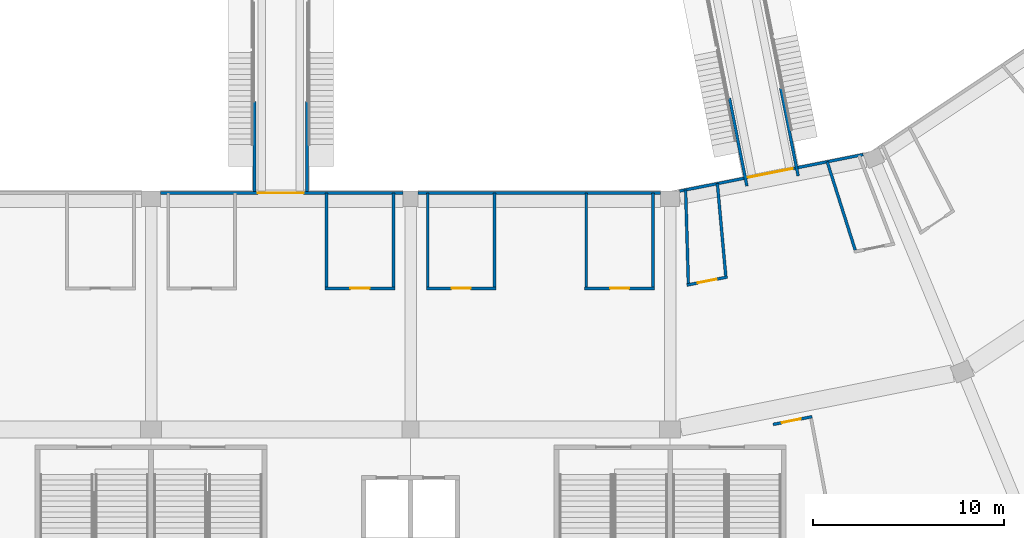
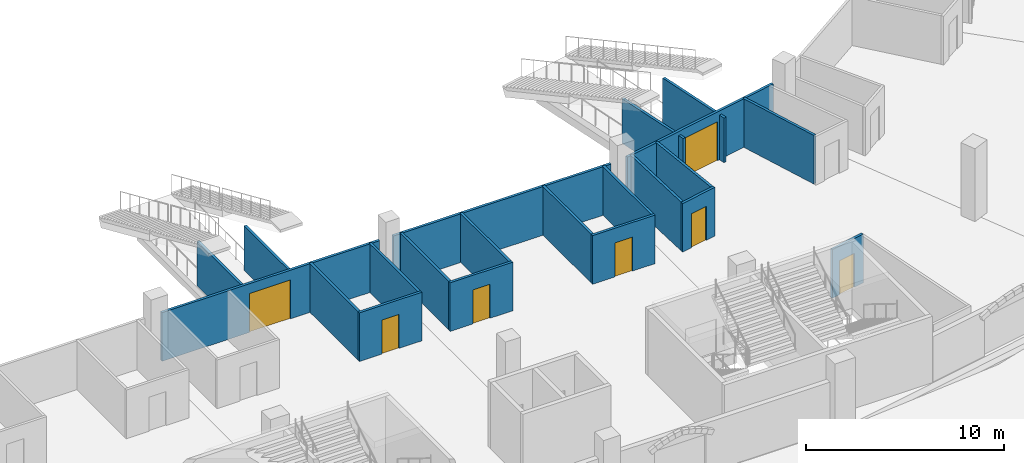
# One storey, part 29 of 175: 21 walls, 7 doors, 7 openings.
"""IFC4 building model written with IfcOpenShell, lengths in metres."""

from ifc_helpers import new_model, si_unit, direction, frame, frame_2d, origin, place, context, subcontext, project, spatial, rectangle, extrude, material, layer, layer_set, type_object, element, fill, save


model = new_model("IFC4")

# Units and contexts
model_context = context("Model", 3, precision=1e-05, world=origin(), true_north=direction((0.0, 1.0)))
body_context = subcontext(model_context, "Body", "Model", "MODEL_VIEW")
ifc_project = project(units=[si_unit("LENGTHUNIT", "METRE"), si_unit("AREAUNIT", "SQUARE_METRE"), si_unit("VOLUMEUNIT", "CUBIC_METRE"), si_unit("PLANEANGLEUNIT", "RADIAN"), si_unit("MASSUNIT", "GRAM", prefix="KILO")], contexts=[model_context])

# Site, building, storey
site_placement = place(None, origin())
site = spatial("IfcSite", under=ifc_project, at=site_placement, CompositionType="ELEMENT")
building_placement = place(site_placement, origin())
building = spatial("IfcBuilding", under=site, at=building_placement, Name="Ogive Plaza Stadium", CompositionType="ELEMENT")
storey_placement = place(building_placement, origin())
storey = spatial("IfcBuildingStorey", under=building, at=storey_placement, Name="L00", CompositionType="ELEMENT", Elevation=0.0)

# Wall, opening, door
ifc_material_1 = material(Name="Masonry blockwork", Category="masonry")
ifc_layer_1 = layer(ifc_material_1, 0.14990234375)
ifc_layer_set_1 = layer_set([ifc_layer_1], Name="Blockwork wall 150")
wall_type_1 = type_object("IfcWallType", Name="Blockwork wall 150", PredefinedType="SOLIDWALL", material=ifc_layer_set_1)
wall_1_placement = place(storey_placement, frame((34.87646484375, -84.92578125, 0.0), z_axis=(0.0, 0.0, 1.0), x_axis=(0.980766609665, 0.195184162696, 0.0)))
wall_1 = element("IfcWall", 1, at=wall_1_placement, inside=storey, type_object=wall_type_1, Name="Wall L00 B11", PredefinedType="SOLIDWALL", context=body_context, shape_type="SweptSolid", body=[
    extrude(rectangle(XDim=2.16650390625, YDim=0.14990234375, at=frame_2d((1.083251953125, 0.0))), origin(), (0.0, 0.0, 1.0), 3.0),
])
opening_1_placement = place(wall_1_placement, frame((0.583251953125, 0.0, 0.0)))
opening_1 = element("IfcOpeningElement", 2, at=opening_1_placement, cuts=wall_1, Name="Opening D0398", PredefinedType="OPENING", context=body_context, shape_type="SweptSolid", body=[
    extrude(rectangle(XDim=1.0, YDim=2.10009765625, at=frame_2d((0.5, 1.050048828125))), frame((0.0, 0.074951171875, 0.0), z_axis=(0.0, -1.0, 0.0), x_axis=(1.0, 0.0, 0.0)), (0.0, 0.0, 1.0), 0.14990234375),
])
ifc_material_2 = material(Name="Steel ASTM A572 Grade 50", Category="steel")
door_type_1 = type_object("IfcDoorType", Name="Door 1000 x 2100", OperationType="SINGLE_SWING_LEFT", PredefinedType="DOOR", material=ifc_material_2)
door_1_placement = place(opening_1_placement, origin())
door_1 = element("IfcDoor", 3, at=door_1_placement, inside=storey, type_object=door_type_1, Name="Concession Stand B11 door", OperationType="SINGLE_SWING_RIGHT", OverallHeight=2.10009765625, OverallWidth=1.0, PredefinedType="DOOR", context=body_context, shape_type="SweptSolid", body=[
    extrude(rectangle(XDim=1.0, YDim=2.10009765625, at=frame_2d((0.5, 1.050048828125))), frame((0.0, 0.02490234375, 0.0), z_axis=(0.0, -1.0, 0.0), x_axis=(1.0, 0.0, 0.0)), (0.0, 0.0, 1.0), 0.050048828125),
])
fill(opening_1, door_1)

# Walls
wall_2_placement = place(storey_placement, frame((34.809326171875, -79.93896484375, 0.0), z_axis=(0.0, 0.0, 1.0), x_axis=(0.02950597086, -0.999564604057, 0.0)))
element("IfcWall", 4, at=wall_2_placement, inside=storey, type_object=wall_type_1, Name="Wall L00 B11", PredefinedType="SOLIDWALL", context=body_context, shape_type="SweptSolid", body=[
    extrude(rectangle(XDim=4.8984375, YDim=0.14990234375, at=frame_2d((2.44921875, 0.0))), origin(), (0.0, 0.0, 1.0), 3.0),
])
wall_3_placement = place(storey_placement, frame((36.473388671875, -79.60791015625, 0.0), z_axis=(0.0, 0.0, 1.0), x_axis=(0.090871085934, -0.995862664096, 0.0)))
element("IfcWall", 5, at=wall_3_placement, inside=storey, type_object=wall_type_1, Name="Wall L00 B11", PredefinedType="SOLIDWALL", context=body_context, shape_type="SweptSolid", body=[
    extrude(rectangle(XDim=4.857421875, YDim=0.14990234375, at=frame_2d((2.4287109375, 0.0))), origin(), (0.0, 0.0, 1.0), 3.0),
])
wall_4_placement = place(storey_placement, frame((42.22900390625, -78.463134765625, 0.0), z_axis=(0.0, 0.0, 1.0), x_axis=(0.302162587804, -0.953256403352, 0.0)))
element("IfcWall", 6, at=wall_4_placement, inside=storey, type_object=wall_type_1, Name="Wall L00 B11", PredefinedType="SOLIDWALL", context=body_context, shape_type="SweptSolid", body=[
    extrude(rectangle(XDim=4.860107421875, YDim=0.14990234375, at=frame_2d((2.43017578125, 0.0))), origin(), (0.0, 0.0, 1.0), 3.0),
])

# Wall, opening, door
wall_5_placement = place(storey_placement, frame((33.175048828125, -85.10009765625, 0.0), z_axis=(0.0, 0.0, 1.0), x_axis=(-1.0, 0.0, 0.0)))
wall_5 = element("IfcWall", 7, at=wall_5_placement, inside=storey, type_object=wall_type_1, Name="Wall L00 B12", PredefinedType="SOLIDWALL", context=body_context, shape_type="SweptSolid", body=[
    extrude(rectangle(XDim=3.650146484375, YDim=0.14990234375, at=frame_2d((1.8251953125, 0.0))), origin(), (0.0, 0.0, 1.0), 3.0),
])
opening_2_placement = place(wall_5_placement, frame((1.324951171875, 0.0, 0.0)))
opening_2 = element("IfcOpeningElement", 8, at=opening_2_placement, cuts=wall_5, Name="Opening D0401", PredefinedType="OPENING", context=body_context, shape_type="SweptSolid", body=[
    extrude(rectangle(XDim=1.0, YDim=2.10009765625, at=frame_2d((0.5, 1.050048828125))), frame((0.0, 0.074951171875, 0.0), z_axis=(0.0, -1.0, 0.0), x_axis=(1.0, 0.0, 0.0)), (0.0, 0.0, 1.0), 0.14990234375),
])
door_2_placement = place(opening_2_placement, origin())
door_2 = element("IfcDoor", 9, at=door_2_placement, inside=storey, type_object=door_type_1, Name="Concession Stand B12 door", OperationType="SINGLE_SWING_RIGHT", OverallHeight=2.10009765625, OverallWidth=1.0, PredefinedType="DOOR", context=body_context, shape_type="SweptSolid", body=[
    extrude(rectangle(XDim=1.0, YDim=2.10009765625, at=frame_2d((0.5, 1.050048828125))), frame((0.0, 0.02490234375, 0.0), z_axis=(0.0, -1.0, 0.0), x_axis=(1.0, 0.0, 0.0)), (0.0, 0.0, 1.0), 0.050048828125),
])
fill(opening_2, door_2)

# Walls
for number, where, z_axis, x_axis, name in (
    (10, (33.10009765625, -80.10009765625, 0.0), (0.0, 0.0, 1.0), (0.0, -1.0, 0.0), "Wall L00 B12"),
    (11, (29.60009765625, -80.10009765625, 0.0), (0.0, 0.0, 1.0), (0.0, -1.0, 0.0), "Wall L00 B12"),
):
    element("IfcWall", number, at=place(storey_placement, frame(where, z_axis=z_axis, x_axis=x_axis)), inside=storey, type_object=wall_type_1, Name=name, PredefinedType="SOLIDWALL", context=body_context, shape_type="SweptSolid", body=[
        extrude(rectangle(XDim=4.9248046875, YDim=0.14990234375, at=frame_2d((2.46240234375, 0.0))), origin(), (0.0, 0.0, 1.0), 3.0),
    ])

# Wall, opening, door
wall_6_placement = place(storey_placement, frame((24.875, -85.10009765625, 0.0), z_axis=(0.0, 0.0, 1.0), x_axis=(-1.0, 0.0, 0.0)))
wall_6 = element("IfcWall", 12, at=wall_6_placement, inside=storey, type_object=wall_type_1, Name="Wall L00 B12", PredefinedType="SOLIDWALL", context=body_context, shape_type="SweptSolid", body=[
    extrude(rectangle(XDim=3.64990234375, YDim=0.14990234375, at=frame_2d((1.824951171875, 0.0))), origin(), (0.0, 0.0, 1.0), 3.0),
])
opening_3_placement = place(wall_6_placement, frame((1.324951171875, 0.0, 0.0)))
opening_3 = element("IfcOpeningElement", 13, at=opening_3_placement, cuts=wall_6, Name="Opening D0402", PredefinedType="OPENING", context=body_context, shape_type="SweptSolid", body=[
    extrude(rectangle(XDim=1.0, YDim=2.10009765625, at=frame_2d((0.5, 1.050048828125))), frame((0.0, 0.074951171875, 0.0), z_axis=(0.0, -1.0, 0.0), x_axis=(1.0, 0.0, 0.0)), (0.0, 0.0, 1.0), 0.14990234375),
])
door_3_placement = place(opening_3_placement, origin())
door_3 = element("IfcDoor", 14, at=door_3_placement, inside=storey, type_object=door_type_1, Name="Concession Stand B12 door", OperationType="SINGLE_SWING_LEFT", OverallHeight=2.10009765625, OverallWidth=1.0, PredefinedType="DOOR", context=body_context, shape_type="SweptSolid", body=[
    extrude(rectangle(XDim=1.0, YDim=2.10009765625, at=frame_2d((0.5, 1.050048828125))), frame((0.0, 0.02490234375, 0.0), z_axis=(0.0, -1.0, 0.0), x_axis=(1.0, 0.0, 0.0)), (0.0, 0.0, 1.0), 0.050048828125),
])
fill(opening_3, door_3)

# Walls
for number, where, z_axis, x_axis, name in (
    (15, (24.800048828125, -80.10009765625, 0.0), (0.0, 0.0, 1.0), (0.0, -1.0, 0.0), "Wall L00 B12"),
    (16, (21.300048828125, -80.10009765625, 0.0), (0.0, 0.0, 1.0), (0.0, -1.0, 0.0), "Wall L00 B12"),
):
    element("IfcWall", number, at=place(storey_placement, frame(where, z_axis=z_axis, x_axis=x_axis)), inside=storey, type_object=wall_type_1, Name=name, PredefinedType="SOLIDWALL", context=body_context, shape_type="SweptSolid", body=[
        extrude(rectangle(XDim=4.9248046875, YDim=0.14990234375, at=frame_2d((2.46240234375, 0.0))), origin(), (0.0, 0.0, 1.0), 3.0),
    ])

# Wall, opening, door
wall_7_placement = place(storey_placement, frame((15.925048828125, -85.10009765625, 0.0), z_axis=(0.0, 0.0, 1.0), x_axis=(1.0, 0.0, 0.0)))
wall_7 = element("IfcWall", 17, at=wall_7_placement, inside=storey, type_object=wall_type_1, Name="Wall L00 B13", PredefinedType="SOLIDWALL", context=body_context, shape_type="SweptSolid", body=[
    extrude(rectangle(XDim=3.64990234375, YDim=0.14990234375, at=frame_2d((1.824951171875, 0.0))), origin(), (0.0, 0.0, 1.0), 3.0),
])
opening_4_placement = place(wall_7_placement, frame((1.324951171875, 0.0, 0.0)))
opening_4 = element("IfcOpeningElement", 18, at=opening_4_placement, cuts=wall_7, Name="Opening D0404", PredefinedType="OPENING", context=body_context, shape_type="SweptSolid", body=[
    extrude(rectangle(XDim=1.0, YDim=2.10009765625, at=frame_2d((0.5, 1.050048828125))), frame((0.0, 0.074951171875, 0.0), z_axis=(0.0, -1.0, 0.0), x_axis=(1.0, 0.0, 0.0)), (0.0, 0.0, 1.0), 0.14990234375),
])
door_4_placement = place(opening_4_placement, origin())
door_4 = element("IfcDoor", 19, at=door_4_placement, inside=storey, type_object=door_type_1, Name="Concession Stand B13 door", OperationType="SINGLE_SWING_RIGHT", OverallHeight=2.10009765625, OverallWidth=1.0, PredefinedType="DOOR", context=body_context, shape_type="SweptSolid", body=[
    extrude(rectangle(XDim=1.0, YDim=2.10009765625, at=frame_2d((0.5, 1.050048828125))), frame((0.0, 0.02490234375, 0.0), z_axis=(0.0, -1.0, 0.0), x_axis=(1.0, 0.0, 0.0)), (0.0, 0.0, 1.0), 0.050048828125),
])
fill(opening_4, door_4)

# Walls
for number, where, z_axis, x_axis, name in (
    (20, (16.0, -80.10009765625, 0.0), (0.0, 0.0, 1.0), (0.0, -1.0, 0.0), "Wall L00 B13"),
    (21, (19.5, -80.10009765625, 0.0), (0.0, 0.0, 1.0), (0.0, -1.0, 0.0), "Wall L00 B13"),
):
    element("IfcWall", number, at=place(storey_placement, frame(where, z_axis=z_axis, x_axis=x_axis)), inside=storey, type_object=wall_type_1, Name=name, PredefinedType="SOLIDWALL", context=body_context, shape_type="SweptSolid", body=[
        extrude(rectangle(XDim=4.9248046875, YDim=0.14990234375, at=frame_2d((2.46240234375, 0.0))), origin(), (0.0, 0.0, 1.0), 3.0),
    ])

# Wall, opening, door
wall_8_placement = place(storey_placement, frame((44.112060546875, -78.088623046875, 0.0), z_axis=(0.0, 0.0, 1.0), x_axis=(-0.980787086023, -0.195081244333, 0.0)))
wall_8 = element("IfcWall", 22, at=wall_8_placement, inside=storey, type_object=wall_type_1, Name="Stand rear wall B11", PredefinedType="SOLIDWALL", context=body_context, shape_type="SweptSolid", body=[
    extrude(rectangle(XDim=9.80029296875, YDim=0.14990234375, at=frame_2d((4.900146484375, 0.0))), origin(), (0.0, 0.0, 1.0), 3.0),
])
opening_5_placement = place(wall_8_placement, frame((3.755615234375, 0.0, 0.0)))
opening_5 = element("IfcOpeningElement", 23, at=opening_5_placement, cuts=wall_8, Name="Opening D1042", PredefinedType="OPENING", context=body_context, shape_type="SweptSolid", body=[
    extrude(rectangle(XDim=2.39990234375, YDim=2.39990234375, at=frame_2d((1.199951171875, 1.199951171875))), frame((0.0, 0.074951171875, 0.0), z_axis=(0.0, -1.0, 0.0), x_axis=(1.0, 0.0, 0.0)), (0.0, 0.0, 1.0), 0.14990234375),
])
ifc_material_3 = material(Name="Steel ASTM A572 Grade 50", Category="steel")
door_type_2 = type_object("IfcDoorType", Name="Service door pair 2400 x 2400", OperationType="DOUBLE_DOOR_SINGLE_SWING", PredefinedType="DOOR", material=ifc_material_3)
door_5_placement = place(opening_5_placement, origin())
door_5 = element("IfcDoor", 24, at=door_5_placement, inside=storey, type_object=door_type_2, Name="Vomitory portal door B11", OperationType="DOUBLE_DOOR_SINGLE_SWING", OverallHeight=2.39990234375, OverallWidth=2.39990234375, PredefinedType="DOOR", context=body_context, shape_type="SweptSolid", body=[
    extrude(rectangle(XDim=2.39990234375, YDim=2.39990234375, at=frame_2d((1.199951171875, 1.199951171875))), frame((0.0, 0.02490234375, 0.0), z_axis=(0.0, -1.0, 0.0), x_axis=(1.0, 0.0, 0.0)), (0.0, 0.0, 1.0), 0.050048828125),
])
fill(opening_5, door_5)

# Wall
wall_9_placement = place(storey_placement, frame((33.5, -80.10009765625, 0.0), z_axis=(0.0, 0.0, 1.0), x_axis=(-1.0, 0.0, 0.0)))
element("IfcWall", 25, at=wall_9_placement, inside=storey, type_object=wall_type_1, Name="Stand rear wall B12", PredefinedType="SOLIDWALL", context=body_context, shape_type="SweptSolid", body=[
    extrude(rectangle(XDim=12.699951171875, YDim=0.14990234375, at=frame_2d((6.35009765625, 0.0))), origin(), (0.0, 0.0, 1.0), 3.0),
])

# Wall, opening, door
wall_10_placement = place(storey_placement, frame((20.0, -80.10009765625, 0.0), z_axis=(0.0, 0.0, 1.0), x_axis=(-1.0, 0.0, 0.0)))
wall_10 = element("IfcWall", 26, at=wall_10_placement, inside=storey, type_object=wall_type_1, Name="Stand rear wall B13", PredefinedType="SOLIDWALL", context=body_context, shape_type="SweptSolid", body=[
    extrude(rectangle(XDim=12.699951171875, YDim=0.14990234375, at=frame_2d((6.35009765625, 0.0))), origin(), (0.0, 0.0, 1.0), 3.0),
])
opening_6_placement = place(wall_10_placement, frame((5.199951171875, 0.0, 0.0)))
opening_6 = element("IfcOpeningElement", 27, at=opening_6_placement, cuts=wall_10, Name="Opening D1043", PredefinedType="OPENING", context=body_context, shape_type="SweptSolid", body=[
    extrude(rectangle(XDim=2.39990234375, YDim=2.39990234375, at=frame_2d((1.199951171875, 1.199951171875))), frame((0.0, 0.074951171875, 0.0), z_axis=(0.0, -1.0, 0.0), x_axis=(1.0, 0.0, 0.0)), (0.0, 0.0, 1.0), 0.14990234375),
])
door_6_placement = place(opening_6_placement, origin())
door_6 = element("IfcDoor", 28, at=door_6_placement, inside=storey, type_object=door_type_2, Name="Vomitory portal door B13", OperationType="DOUBLE_DOOR_SINGLE_SWING", OverallHeight=2.39990234375, OverallWidth=2.39990234375, PredefinedType="DOOR", context=body_context, shape_type="SweptSolid", body=[
    extrude(rectangle(XDim=2.39990234375, YDim=2.39990234375, at=frame_2d((1.199951171875, 1.199951171875))), frame((0.0, 0.02490234375, 0.0), z_axis=(0.0, -1.0, 0.0), x_axis=(1.0, 0.0, 0.0)), (0.0, 0.0, 1.0), 0.050048828125),
])
fill(opening_6, door_6)

ifc_material_4 = material(Name="Gypsum board partition", Category="gypsum")
ifc_layer_2 = layer(ifc_material_4, 0.14990234375)
ifc_layer_set_2 = layer_set([ifc_layer_2], Name="Partition 150")
wall_type_2 = type_object("IfcWallType", Name="Partition 150", PredefinedType="PARTITIONING", material=ifc_layer_set_2)
wall_11_placement = place(storey_placement, frame((39.396240234375, -92.2265625, 0.0), z_axis=(0.0, 0.0, 1.0), x_axis=(0.980792255889, 0.195055250603, 0.0)))
wall_11 = element("IfcWall", 29, at=wall_11_placement, inside=storey, type_object=wall_type_2, Name="Wall L00 B11", PredefinedType="PARTITIONING", context=body_context, shape_type="SweptSolid", body=[
    extrude(rectangle(XDim=2.080322265625, YDim=0.14990234375, at=frame_2d((1.0400390625, 0.0))), origin(), (0.0, 0.0, 1.0), 3.0),
])
opening_7_placement = place(wall_11_placement, frame((0.47216796875, 0.0, 0.0)))
opening_7 = element("IfcOpeningElement", 30, at=opening_7_placement, cuts=wall_11, Name="Opening D0400", PredefinedType="OPENING", context=body_context, shape_type="SweptSolid", body=[
    extrude(rectangle(XDim=1.0, YDim=2.10009765625, at=frame_2d((0.5, 1.050048828125))), frame((0.0, 0.074951171875, 0.0), z_axis=(0.0, -1.0, 0.0), x_axis=(1.0, 0.0, 0.0)), (0.0, 0.0, 1.0), 0.14990234375),
])
door_7_placement = place(opening_7_placement, origin())
door_7 = element("IfcDoor", 31, at=door_7_placement, inside=storey, type_object=door_type_1, Name="Security Office B11 door", OperationType="SINGLE_SWING_LEFT", OverallHeight=2.10009765625, OverallWidth=1.0, PredefinedType="DOOR", context=body_context, shape_type="SweptSolid", body=[
    extrude(rectangle(XDim=1.0, YDim=2.10009765625, at=frame_2d((0.5, 1.050048828125))), frame((0.0, 0.02490234375, 0.0), z_axis=(0.0, -1.0, 0.0), x_axis=(1.0, 0.0, 0.0)), (0.0, 0.0, 1.0), 0.050048828125),
])
fill(opening_7, door_7)

# Walls
ifc_material_5 = material(Name="Concrete C40/50", Category="concrete")
ifc_layer_3 = layer(ifc_material_5, 0.14990234375)
ifc_layer_set_3 = layer_set([ifc_layer_3], Name="Concrete C40/50")
wall_type_3 = type_object("IfcWallType", Name="Vomitory wall 150", PredefinedType="SOLIDWALL", material=ifc_layer_set_3)
for number, where, z_axis, x_axis, name in (
    (32, (37.1044921875, -75.129150390625, 0.0), (0.0, 0.0, 1.0), (0.195057122146, -0.980791883684, 0.0), "Vomitory tunnel wall B11"),
    (33, (39.791748046875, -74.5947265625, 0.0), (0.0, 0.0, 1.0), (0.195107090954, -0.980781944705, 0.0), "Vomitory tunnel wall B11"),
):
    element("IfcWall", number, at=place(storey_placement, frame(where, z_axis=z_axis, x_axis=x_axis)), inside=storey, type_object=wall_type_3, Name=name, PredefinedType="SOLIDWALL", context=body_context, shape_type="SweptSolid", body=[
        extrude(rectangle(XDim=4.699951171875, YDim=0.14990234375, at=frame_2d((2.35009765625, 0.0))), origin(), (0.0, 0.0, 1.0), 2.75),
    ])
for number, where, z_axis, x_axis, name in (
    (34, (12.22998046875, -75.300048828125, 0.0), (0.0, 0.0, 1.0), (0.0, -1.0, 0.0), "Vomitory tunnel wall B13"),
    (35, (14.969970703125, -75.300048828125, 0.0), (0.0, 0.0, 1.0), (0.0, -1.0, 0.0), "Vomitory tunnel wall B13"),
):
    element("IfcWall", number, at=place(storey_placement, frame(where, z_axis=z_axis, x_axis=x_axis)), inside=storey, type_object=wall_type_3, Name=name, PredefinedType="SOLIDWALL", context=body_context, shape_type="SweptSolid", body=[
        extrude(rectangle(XDim=4.724853515625, YDim=0.14990234375, at=frame_2d((2.3623046875, 0.0))), origin(), (0.0, 0.0, 1.0), 2.75),
    ])

save(model, "model.ifc")
